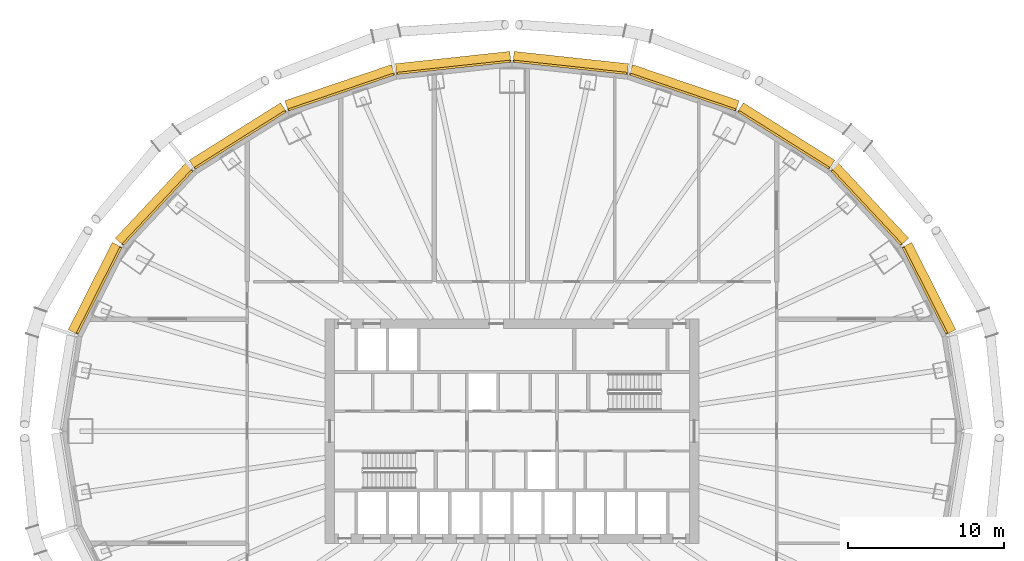
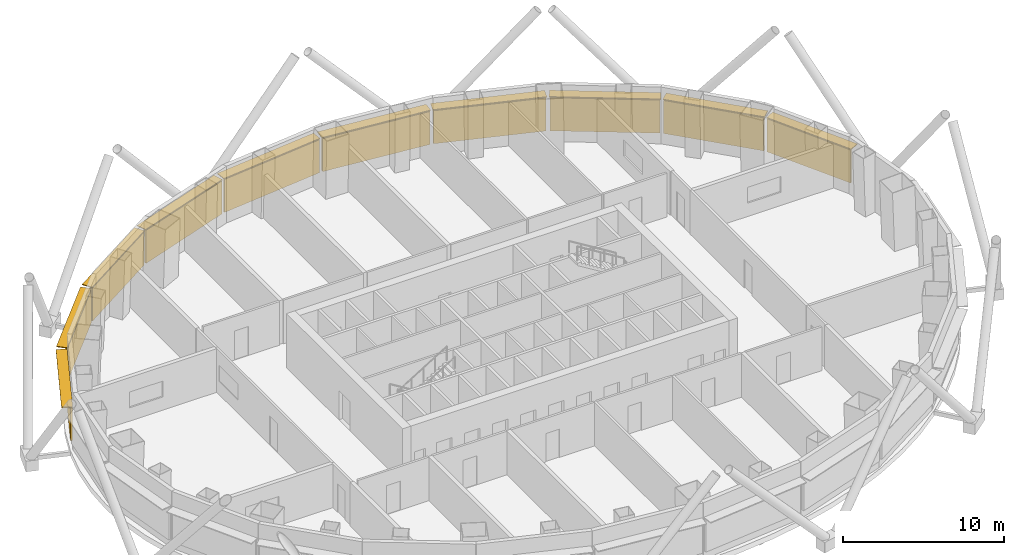
# One storey, part 14 of 14: 20 shading devices.
"""IFC4 building model written with IfcOpenShell, lengths in metres."""

from ifc_helpers import new_model, si_unit, direction, frame, origin, origin_2d, place, context, subcontext, project, spatial, rectangle, extrude, material, layer, layer_set, type_object, element, save


model = new_model("IFC4")

# Units and contexts
model_context = context("Model", 3, precision=1e-05, world=origin(), true_north=direction((0.0, 1.0)))
body_context = subcontext(model_context, "Body", "Model", "MODEL_VIEW")
ifc_project = project(units=[si_unit("LENGTHUNIT", "METRE"), si_unit("AREAUNIT", "SQUARE_METRE"), si_unit("VOLUMEUNIT", "CUBIC_METRE"), si_unit("PLANEANGLEUNIT", "RADIAN"), si_unit("MASSUNIT", "GRAM", prefix="KILO")], contexts=[model_context])

# Site, building, storey
site_placement = place(None, origin())
site = spatial("IfcSite", under=ifc_project, at=site_placement, CompositionType="ELEMENT")
building_placement = place(site_placement, origin())
building = spatial("IfcBuilding", under=site, at=building_placement, Name="Siaravel Broadcast Tower", CompositionType="ELEMENT")
storey_placement = place(building_placement, frame((0.0, 0.0, 20.0)))
storey = spatial("IfcBuildingStorey", under=building, at=storey_placement, Name="L03", CompositionType="ELEMENT", Elevation=20.0)

# Shading devices
ifc_material_1 = material(Name="Bronze anodised aluminium", Category="aluminium")
ifc_layer_1 = layer(ifc_material_1, 0.06005859375)
ifc_layer_set_1 = layer_set([ifc_layer_1], Name="Bronze anodised aluminium")
shading_device_type_1 = type_object("IfcShadingDeviceType", Name="Brise-soleil band", PredefinedType="USERDEFINED", material=ifc_layer_set_1)
shading_device_1_placement = place(storey_placement, frame((26.776611328125, 9.166015625, 3.1298828125), z_axis=(0.0, 0.0, 1.0), x_axis=(-0.451262289, 0.892391364, 0.0)))
element("IfcShadingDevice", 1, at=shading_device_1_placement, inside=storey, type_object=shading_device_type_1, Name="L03 brise-soleil band 02", ObjectType="SUNSHADE", PredefinedType="USERDEFINED", context=body_context, shape_type="SweptSolid", body=[
    extrude(rectangle(XDim=6.268310546875, YDim=0.699951171875, at=origin_2d()), origin(), (0.0, 0.0, 1.0), 0.06005859375),
])
shading_device_2_placement = place(storey_placement, frame((22.973876953125, 14.5625, 3.1298828125), z_axis=(0.0, 0.0, 1.0), x_axis=(-0.683655992, 0.729804415, 0.0)))
element("IfcShadingDevice", 2, at=shading_device_2_placement, inside=storey, type_object=shading_device_type_1, Name="L03 brise-soleil band 03", ObjectType="SUNSHADE", PredefinedType="USERDEFINED", context=body_context, shape_type="SweptSolid", body=[
    extrude(rectangle(XDim=6.584716796875, YDim=0.699951171875, at=origin_2d()), origin(), (0.0, 0.0, 1.0), 0.06005859375),
])
shading_device_3_placement = place(storey_placement, frame((17.61328125, 18.9541015625, 3.1298828125), z_axis=(0.0, 0.0, 1.0), x_axis=(-0.846651365, 0.532147974, 0.0)))
element("IfcShadingDevice", 3, at=shading_device_3_placement, inside=storey, type_object=shading_device_type_1, Name="L03 brise-soleil band 04", ObjectType="SUNSHADE", PredefinedType="USERDEFINED", context=body_context, shape_type="SweptSolid", body=[
    extrude(rectangle(XDim=6.9326171875, YDim=0.699951171875, at=origin_2d()), origin(), (0.0, 0.0, 1.0), 0.06005859375),
])
shading_device_4_placement = place(storey_placement, frame((11.06494140625, 22.051513671875, 3.1298828125), z_axis=(0.0, 0.0, 1.0), x_axis=(-0.946977245, 0.321300635, 0.0)))
element("IfcShadingDevice", 4, at=shading_device_4_placement, inside=storey, type_object=shading_device_type_1, Name="L03 brise-soleil band 05", ObjectType="SUNSHADE", PredefinedType="USERDEFINED", context=body_context, shape_type="SweptSolid", body=[
    extrude(rectangle(XDim=7.220703125, YDim=0.699951171875, at=origin_2d()), origin(), (0.0, 0.0, 1.0), 0.06005859375),
])
for number, where, z_axis, x_axis, name in (
    (5, (3.772705078125, 23.652099609375, 3.1298828125), (0.0, 0.0, 1.0), (-0.994235667, 0.107216783, 0.0), "L03 brise-soleil band 06"),
    (6, (-3.772705078125, 23.652099609375, 3.1298828125), (0.0, 0.0, 1.0), (-0.994235667, -0.107216783, 0.0), "L03 brise-soleil band 07"),
):
    element("IfcShadingDevice", number, at=place(storey_placement, frame(where, z_axis=z_axis, x_axis=x_axis)), inside=storey, type_object=shading_device_type_1, Name=name, ObjectType="SUNSHADE", PredefinedType="USERDEFINED", context=body_context, shape_type="SweptSolid", body=[
        extrude(rectangle(XDim=7.3818359375, YDim=0.699951171875, at=origin_2d()), origin(), (0.0, 0.0, 1.0), 0.06005859375),
    ])
shading_device_5_placement = place(storey_placement, frame((-11.06494140625, 22.051513671875, 3.1298828125), z_axis=(0.0, 0.0, 1.0), x_axis=(-0.946977245, -0.321300635, 0.0)))
element("IfcShadingDevice", 7, at=shading_device_5_placement, inside=storey, type_object=shading_device_type_1, Name="L03 brise-soleil band 08", ObjectType="SUNSHADE", PredefinedType="USERDEFINED", context=body_context, shape_type="SweptSolid", body=[
    extrude(rectangle(XDim=7.220703125, YDim=0.699951171875, at=origin_2d()), origin(), (0.0, 0.0, 1.0), 0.06005859375),
])
shading_device_6_placement = place(storey_placement, frame((-17.61328125, 18.9541015625, 3.1298828125), z_axis=(0.0, 0.0, 1.0), x_axis=(-0.846651365, -0.532147974, 0.0)))
element("IfcShadingDevice", 8, at=shading_device_6_placement, inside=storey, type_object=shading_device_type_1, Name="L03 brise-soleil band 09", ObjectType="SUNSHADE", PredefinedType="USERDEFINED", context=body_context, shape_type="SweptSolid", body=[
    extrude(rectangle(XDim=6.9326171875, YDim=0.699951171875, at=origin_2d()), origin(), (0.0, 0.0, 1.0), 0.06005859375),
])
shading_device_7_placement = place(storey_placement, frame((-22.973876953125, 14.5625, 3.1298828125), z_axis=(0.0, 0.0, 1.0), x_axis=(-0.683655992, -0.729804415, 0.0)))
element("IfcShadingDevice", 9, at=shading_device_7_placement, inside=storey, type_object=shading_device_type_1, Name="L03 brise-soleil band 10", ObjectType="SUNSHADE", PredefinedType="USERDEFINED", context=body_context, shape_type="SweptSolid", body=[
    extrude(rectangle(XDim=6.584716796875, YDim=0.699951171875, at=origin_2d()), origin(), (0.0, 0.0, 1.0), 0.06005859375),
])
shading_device_8_placement = place(storey_placement, frame((-26.776611328125, 9.166015625, 3.1298828125), z_axis=(0.0, 0.0, 1.0), x_axis=(-0.451262289, -0.892391364, 0.0)))
element("IfcShadingDevice", 10, at=shading_device_8_placement, inside=storey, type_object=shading_device_type_1, Name="L03 brise-soleil band 11", ObjectType="SUNSHADE", PredefinedType="USERDEFINED", context=body_context, shape_type="SweptSolid", body=[
    extrude(rectangle(XDim=6.268310546875, YDim=0.699951171875, at=origin_2d()), origin(), (0.0, 0.0, 1.0), 0.06005859375),
])
ifc_material_2 = material(Name="Precast concrete C40/50", Category="concrete")
ifc_layer_2 = layer(ifc_material_2, 0.139892578125)
ifc_layer_set_2 = layer_set([ifc_layer_2], Name="Precast concrete C40/50")
shading_device_type_2 = type_object("IfcShadingDeviceType", Name="Cobogo screen", PredefinedType="USERDEFINED", material=ifc_layer_set_2)
shading_device_9_placement = place(storey_placement, frame((26.52685546875, 9.039794921875, 0.60009765625), z_axis=(0.0, 0.0, 1.0), x_axis=(-0.451262289, 0.892391364, 0.0)))
element("IfcShadingDevice", 11, at=shading_device_9_placement, inside=storey, type_object=shading_device_type_2, Name="L03 cobogo screen 02", ObjectType="SCREEN", PredefinedType="USERDEFINED", context=body_context, shape_type="SweptSolid", body=[
    extrude(rectangle(XDim=6.168212890625, YDim=0.139892578125, at=origin_2d()), origin(), (0.0, 0.0, 1.0), 2.5),
])
shading_device_10_placement = place(storey_placement, frame((22.769287109375, 14.37109375, 0.60009765625), z_axis=(0.0, 0.0, 1.0), x_axis=(-0.683655992, 0.729804415, 0.0)))
element("IfcShadingDevice", 12, at=shading_device_10_placement, inside=storey, type_object=shading_device_type_2, Name="L03 cobogo screen 03", ObjectType="SCREEN", PredefinedType="USERDEFINED", context=body_context, shape_type="SweptSolid", body=[
    extrude(rectangle(XDim=6.48486328125, YDim=0.139892578125, at=origin_2d()), origin(), (0.0, 0.0, 1.0), 2.5),
])
shading_device_11_placement = place(storey_placement, frame((17.464111328125, 18.71728515625, 0.60009765625), z_axis=(0.0, 0.0, 1.0), x_axis=(-0.846651365, 0.532147974, 0.0)))
element("IfcShadingDevice", 13, at=shading_device_11_placement, inside=storey, type_object=shading_device_type_2, Name="L03 cobogo screen 04", ObjectType="SCREEN", PredefinedType="USERDEFINED", context=body_context, shape_type="SweptSolid", body=[
    extrude(rectangle(XDim=6.83251953125, YDim=0.139892578125, at=origin_2d()), origin(), (0.0, 0.0, 1.0), 2.5),
])
shading_device_12_placement = place(storey_placement, frame((10.97509765625, 21.786376953125, 0.60009765625), z_axis=(0.0, 0.0, 1.0), x_axis=(-0.946977245, 0.321300635, 0.0)))
element("IfcShadingDevice", 14, at=shading_device_12_placement, inside=storey, type_object=shading_device_type_2, Name="L03 cobogo screen 05", ObjectType="SCREEN", PredefinedType="USERDEFINED", context=body_context, shape_type="SweptSolid", body=[
    extrude(rectangle(XDim=7.12060546875, YDim=0.139892578125, at=origin_2d()), origin(), (0.0, 0.0, 1.0), 2.5),
])
for number, where, z_axis, x_axis, name in (
    (15, (3.74267578125, 23.373779296875, 0.60009765625), (0.0, 0.0, 1.0), (-0.994235667, 0.107216783, 0.0), "L03 cobogo screen 06"),
    (16, (-3.74267578125, 23.373779296875, 0.60009765625), (0.0, 0.0, 1.0), (-0.994235667, -0.107216783, 0.0), "L03 cobogo screen 07"),
):
    element("IfcShadingDevice", number, at=place(storey_placement, frame(where, z_axis=z_axis, x_axis=x_axis)), inside=storey, type_object=shading_device_type_2, Name=name, ObjectType="SCREEN", PredefinedType="USERDEFINED", context=body_context, shape_type="SweptSolid", body=[
        extrude(rectangle(XDim=7.28173828125, YDim=0.139892578125, at=origin_2d()), origin(), (0.0, 0.0, 1.0), 2.5),
    ])
shading_device_13_placement = place(storey_placement, frame((-10.97509765625, 21.786376953125, 0.60009765625), z_axis=(0.0, 0.0, 1.0), x_axis=(-0.946977245, -0.321300635, 0.0)))
element("IfcShadingDevice", 17, at=shading_device_13_placement, inside=storey, type_object=shading_device_type_2, Name="L03 cobogo screen 08", ObjectType="SCREEN", PredefinedType="USERDEFINED", context=body_context, shape_type="SweptSolid", body=[
    extrude(rectangle(XDim=7.12060546875, YDim=0.139892578125, at=origin_2d()), origin(), (0.0, 0.0, 1.0), 2.5),
])
shading_device_14_placement = place(storey_placement, frame((-17.464111328125, 18.71728515625, 0.60009765625), z_axis=(0.0, 0.0, 1.0), x_axis=(-0.846651365, -0.532147974, 0.0)))
element("IfcShadingDevice", 18, at=shading_device_14_placement, inside=storey, type_object=shading_device_type_2, Name="L03 cobogo screen 09", ObjectType="SCREEN", PredefinedType="USERDEFINED", context=body_context, shape_type="SweptSolid", body=[
    extrude(rectangle(XDim=6.83251953125, YDim=0.139892578125, at=origin_2d()), origin(), (0.0, 0.0, 1.0), 2.5),
])
shading_device_15_placement = place(storey_placement, frame((-22.769287109375, 14.37109375, 0.60009765625), z_axis=(0.0, 0.0, 1.0), x_axis=(-0.683655992, -0.729804415, 0.0)))
element("IfcShadingDevice", 19, at=shading_device_15_placement, inside=storey, type_object=shading_device_type_2, Name="L03 cobogo screen 10", ObjectType="SCREEN", PredefinedType="USERDEFINED", context=body_context, shape_type="SweptSolid", body=[
    extrude(rectangle(XDim=6.48486328125, YDim=0.139892578125, at=origin_2d()), origin(), (0.0, 0.0, 1.0), 2.5),
])
shading_device_16_placement = place(storey_placement, frame((-26.52685546875, 9.039794921875, 0.60009765625), z_axis=(0.0, 0.0, 1.0), x_axis=(-0.451262289, -0.892391364, 0.0)))
element("IfcShadingDevice", 20, at=shading_device_16_placement, inside=storey, type_object=shading_device_type_2, Name="L03 cobogo screen 11", ObjectType="SCREEN", PredefinedType="USERDEFINED", context=body_context, shape_type="SweptSolid", body=[
    extrude(rectangle(XDim=6.168212890625, YDim=0.139892578125, at=origin_2d()), origin(), (0.0, 0.0, 1.0), 2.5),
])

save(model, "model.ifc")
